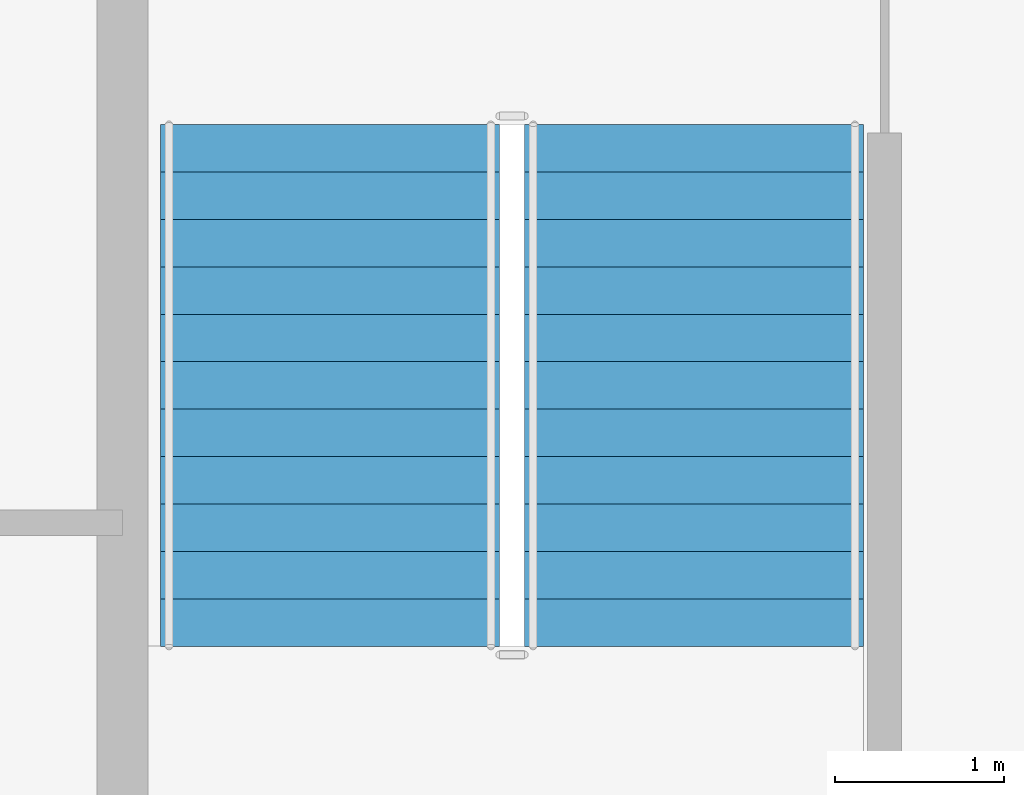
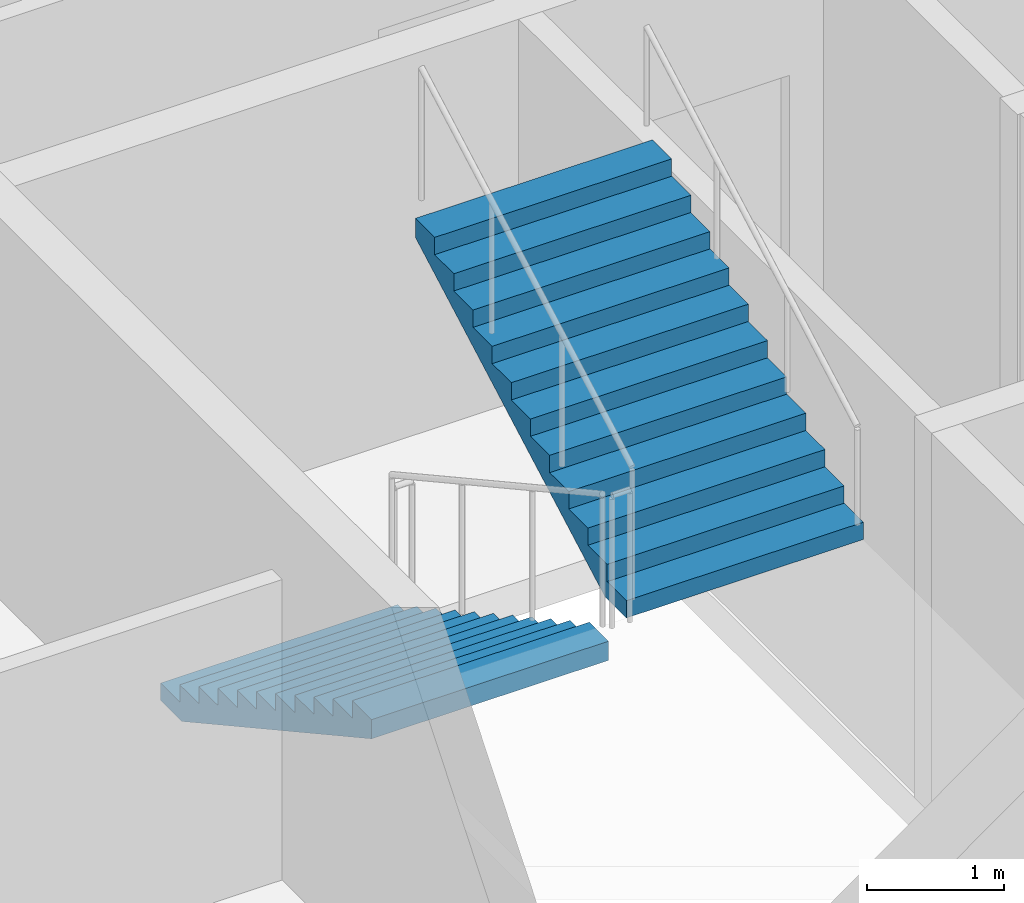
# One storey, part 8 of 16: 2 stair flights, 1 element without a shape of its own.
"""IFC4 building model written with IfcOpenShell, lengths in metres."""

from ifc_helpers import new_model, si_unit, direction, frame, origin, place, context, subcontext, project, spatial, polygons, material, type_object, element, aggregate, save


model = new_model("IFC4")

# Units and contexts
model_context = context("Model", 3, precision=1e-05, world=origin(), true_north=direction((0.0, 1.0)))
body_context = subcontext(model_context, "Body", "Model", "MODEL_VIEW")
ifc_project = project(units=[si_unit("LENGTHUNIT", "METRE"), si_unit("AREAUNIT", "SQUARE_METRE"), si_unit("VOLUMEUNIT", "CUBIC_METRE"), si_unit("PLANEANGLEUNIT", "RADIAN"), si_unit("MASSUNIT", "GRAM", prefix="KILO")], contexts=[model_context])

# Site, building, storey
site_placement = place(None, origin())
site = spatial("IfcSite", under=ifc_project, at=site_placement, CompositionType="ELEMENT")
building_placement = place(site_placement, origin())
building = spatial("IfcBuilding", under=site, at=building_placement, Name="Caravel Reach Hotel and Residences", CompositionType="ELEMENT")
storey_placement = place(building_placement, frame((0.0, 0.0, 207.199951171875)))
storey = spatial("IfcBuildingStorey", under=building, at=storey_placement, Name="L52", CompositionType="ELEMENT", Elevation=207.199951171875)

# Stair, stair flights
ifc_material_1 = material(Name="Concrete C40", Category="concrete")
stair_type = type_object("IfcStairType", Name="Core stair", PredefinedType="HALF_TURN_STAIR", material=ifc_material_1)
stair_placement = place(storey_placement, origin())
stair = element("IfcStair", 1, at=stair_placement, inside=storey, type_object=stair_type, Name="L52 Exit stair A", PredefinedType="HALF_TURN_STAIR")
ifc_material_2 = material(Name="Concrete C40", Category="concrete")
stair_flight_type = type_object("IfcStairFlightType", Name="Core stair flight", PredefinedType="STRAIGHT", material=ifc_material_2)
stair_flight_1_placement = place(storey_placement, frame((19.22509765625, 29.35009765625, 0.0), z_axis=(0.0, 0.0, 1.0), x_axis=(0.0, -1.0, 0.0)))
stair_flight_1 = element("IfcStairFlight", 2, at=stair_flight_1_placement, type_object=stair_flight_type, Name="ST-A flight 1", NumberOfRisers=12, NumberOfTreads=11, PredefinedType="STRAIGHT", RiserHeight=0.154166667, TreadLength=0.28, context=body_context, shape_type="Tessellation", body=[
    polygons([(0.3107950034306102, 1.0, 0.0), (0.3107950034306102, 0.6666666666666667, 0.0), (0.3107950034306102, 0.33333333333333337, 0.0), (0.3107950034306102, 0.0, 0.0), (0.3107950034306102, -0.33333333333333326, 0.0), (0.3107950034306102, -0.6666666666666667, 0.0), (0.3107950034306102, -1.0, 0.0), (3.081, 1.0, 1.524711087717319), (3.081, 0.6666666666666667, 1.524711087717319), (3.081, 0.33333333333333337, 1.524711087717319), (3.081, 0.0, 1.524711087717319), (3.081, -0.33333333333333326, 1.524711087717319), (3.081, -0.6666666666666667, 1.524711087717319), (3.081, -1.0, 1.524711087717319), (3.081, 1.0, 1.695833337), (3.081, 0.6666666666666667, 1.695833337), (3.081, 0.33333333333333337, 1.695833337), (3.081, 0.0, 1.695833337), (3.081, -0.33333333333333326, 1.695833337), (3.081, -0.6666666666666667, 1.695833337), (3.081, -1.0, 1.695833337), (2.8000000000000003, 1.0, 1.695833337), (2.8000000000000003, 0.6666666666666667, 1.695833337), (2.8000000000000003, 0.33333333333333337, 1.695833337), (2.8000000000000003, 0.0, 1.695833337), (2.8000000000000003, -0.33333333333333326, 1.695833337), (2.8000000000000003, -0.6666666666666667, 1.695833337), (2.8000000000000003, -1.0, 1.695833337), (2.8000000000000003, 1.0, 1.5416666700000001), (2.8000000000000003, 0.6666666666666667, 1.5416666700000001), (2.8000000000000003, 0.33333333333333337, 1.5416666700000001), (2.8000000000000003, 0.0, 1.5416666700000001), (2.8000000000000003, -0.33333333333333326, 1.5416666700000001), (2.8000000000000003, -0.6666666666666667, 1.5416666700000001), (2.8000000000000003, -1.0, 1.5416666700000001), (2.5200000000000005, 1.0, 1.5416666700000001), (2.5200000000000005, 0.6666666666666667, 1.5416666700000001), (2.5200000000000005, 0.33333333333333337, 1.5416666700000001), (2.5200000000000005, 0.0, 1.5416666700000001), (2.5200000000000005, -0.33333333333333326, 1.5416666700000001), (2.5200000000000005, -0.6666666666666667, 1.5416666700000001), (2.5200000000000005, -1.0, 1.5416666700000001), (2.5200000000000005, 1.0, 1.387500003), (2.5200000000000005, 0.6666666666666667, 1.387500003), (2.5200000000000005, 0.33333333333333337, 1.387500003), (2.5200000000000005, 0.0, 1.387500003), (2.5200000000000005, -0.33333333333333326, 1.387500003), (2.5200000000000005, -0.6666666666666667, 1.387500003), (2.5200000000000005, -1.0, 1.387500003), (2.24, 1.0, 1.387500003), (2.24, 0.6666666666666667, 1.387500003), (2.24, 0.33333333333333337, 1.387500003), (2.24, 0.0, 1.387500003), (2.24, -0.33333333333333326, 1.387500003), (2.24, -0.6666666666666667, 1.387500003), (2.24, -1.0, 1.387500003), (2.24, 1.0, 1.233333336), (2.24, 0.6666666666666667, 1.233333336), (2.24, 0.33333333333333337, 1.233333336), (2.24, 0.0, 1.233333336), (2.24, -0.33333333333333326, 1.233333336), (2.24, -0.6666666666666667, 1.233333336), (2.24, -1.0, 1.233333336), (1.9600000000000002, 1.0, 1.233333336), (1.9600000000000002, 0.6666666666666667, 1.233333336), (1.9600000000000002, 0.33333333333333337, 1.233333336), (1.9600000000000002, 0.0, 1.233333336), (1.9600000000000002, -0.33333333333333326, 1.233333336), (1.9600000000000002, -0.6666666666666667, 1.233333336), (1.9600000000000002, -1.0, 1.233333336), (1.9600000000000002, 1.0, 1.0791666690000001), (1.9600000000000002, 0.6666666666666667, 1.0791666690000001), (1.9600000000000002, 0.33333333333333337, 1.0791666690000001), (1.9600000000000002, 0.0, 1.0791666690000001), (1.9600000000000002, -0.33333333333333326, 1.0791666690000001), (1.9600000000000002, -0.6666666666666667, 1.0791666690000001), (1.9600000000000002, -1.0, 1.0791666690000001), (1.6800000000000002, 1.0, 1.0791666690000001), (1.6800000000000002, 0.6666666666666667, 1.0791666690000001), (1.6800000000000002, 0.33333333333333337, 1.0791666690000001), (1.6800000000000002, 0.0, 1.0791666690000001), (1.6800000000000002, -0.33333333333333326, 1.0791666690000001), (1.6800000000000002, -0.6666666666666667, 1.0791666690000001), (1.6800000000000002, -1.0, 1.0791666690000001), (1.6800000000000002, 1.0, 0.925000002), (1.6800000000000002, 0.6666666666666667, 0.925000002), (1.6800000000000002, 0.33333333333333337, 0.925000002), (1.6800000000000002, 0.0, 0.925000002), (1.6800000000000002, -0.33333333333333326, 0.925000002), (1.6800000000000002, -0.6666666666666667, 0.925000002), (1.6800000000000002, -1.0, 0.925000002), (1.4000000000000001, 1.0, 0.925000002), (1.4000000000000001, 0.6666666666666667, 0.925000002), (1.4000000000000001, 0.33333333333333337, 0.925000002), (1.4000000000000001, 0.0, 0.925000002), (1.4000000000000001, -0.33333333333333326, 0.925000002), (1.4000000000000001, -0.6666666666666667, 0.925000002), (1.4000000000000001, -1.0, 0.925000002), (1.4000000000000001, 1.0, 0.7708333350000001), (1.4000000000000001, 0.6666666666666667, 0.7708333350000001), (1.4000000000000001, 0.33333333333333337, 0.7708333350000001), (1.4000000000000001, 0.0, 0.7708333350000001), (1.4000000000000001, -0.33333333333333326, 0.7708333350000001), (1.4000000000000001, -0.6666666666666667, 0.7708333350000001), (1.4000000000000001, -1.0, 0.7708333350000001), (1.12, 1.0, 0.7708333350000001), (1.12, 0.6666666666666667, 0.7708333350000001), (1.12, 0.33333333333333337, 0.7708333350000001), (1.12, 0.0, 0.7708333350000001), (1.12, -0.33333333333333326, 0.7708333350000001), (1.12, -0.6666666666666667, 0.7708333350000001), (1.12, -1.0, 0.7708333350000001), (1.12, 1.0, 0.616666668), (1.12, 0.6666666666666667, 0.616666668), (1.12, 0.33333333333333337, 0.616666668), (1.12, 0.0, 0.616666668), (1.12, -0.33333333333333326, 0.616666668), (1.12, -0.6666666666666667, 0.616666668), (1.12, -1.0, 0.616666668), (0.8400000000000001, 1.0, 0.616666668), (0.8400000000000001, 0.6666666666666667, 0.616666668), (0.8400000000000001, 0.33333333333333337, 0.616666668), (0.8400000000000001, 0.0, 0.616666668), (0.8400000000000001, -0.33333333333333326, 0.616666668), (0.8400000000000001, -0.6666666666666667, 0.616666668), (0.8400000000000001, -1.0, 0.616666668), (0.8400000000000001, 1.0, 0.462500001), (0.8400000000000001, 0.6666666666666667, 0.462500001), (0.8400000000000001, 0.33333333333333337, 0.462500001), (0.8400000000000001, 0.0, 0.462500001), (0.8400000000000001, -0.33333333333333326, 0.462500001), (0.8400000000000001, -0.6666666666666667, 0.462500001), (0.8400000000000001, -1.0, 0.462500001), (0.56, 1.0, 0.462500001), (0.56, 0.6666666666666667, 0.462500001), (0.56, 0.33333333333333337, 0.462500001), (0.56, 0.0, 0.462500001), (0.56, -0.33333333333333326, 0.462500001), (0.56, -0.6666666666666667, 0.462500001), (0.56, -1.0, 0.462500001), (0.56, 1.0, 0.308333334), (0.56, 0.6666666666666667, 0.308333334), (0.56, 0.33333333333333337, 0.308333334), (0.56, 0.0, 0.308333334), (0.56, -0.33333333333333326, 0.308333334), (0.56, -0.6666666666666667, 0.308333334), (0.56, -1.0, 0.308333334), (0.28, 1.0, 0.308333334), (0.28, 0.6666666666666667, 0.308333334), (0.28, 0.33333333333333337, 0.308333334), (0.28, 0.0, 0.308333334), (0.28, -0.33333333333333326, 0.308333334), (0.28, -0.6666666666666667, 0.308333334), (0.28, -1.0, 0.308333334), (0.28, 1.0, 0.154166667), (0.28, 0.6666666666666667, 0.154166667), (0.28, 0.33333333333333337, 0.154166667), (0.28, 0.0, 0.154166667), (0.28, -0.33333333333333326, 0.154166667), (0.28, -0.6666666666666667, 0.154166667), (0.28, -1.0, 0.154166667), (-0.001, 1.0, 0.154166667), (-0.001, 0.6666666666666667, 0.154166667), (-0.001, 0.33333333333333337, 0.154166667), (-0.001, 0.0, 0.154166667), (-0.001, -0.33333333333333326, 0.154166667), (-0.001, -0.6666666666666667, 0.154166667), (-0.001, -1.0, 0.154166667), (-0.001, 1.0, 0.0), (-0.001, 0.6666666666666667, 0.0), (-0.001, 0.33333333333333337, 0.0), (-0.001, 0.0, 0.0), (-0.001, -0.33333333333333326, 0.0), (-0.001, -0.6666666666666667, 0.0), (-0.001, -1.0, 0.0)], [[[169, 162, 155, 148, 141, 134, 127, 120, 113, 106, 99, 92, 85, 78, 71, 64, 57, 50, 43, 36, 29, 22, 15, 8, 1]], [[7, 14, 21, 28, 35, 42, 49, 56, 63, 70, 77, 84, 91, 98, 105, 112, 119, 126, 133, 140, 147, 154, 161, 168, 175]], [[1, 8, 9, 2]], [[2, 9, 10, 3]], [[3, 10, 11, 4]], [[4, 11, 12, 5]], [[5, 12, 13, 6]], [[6, 13, 14, 7]], [[8, 15, 16, 9]], [[9, 16, 17, 10]], [[10, 17, 18, 11]], [[11, 18, 19, 12]], [[12, 19, 20, 13]], [[13, 20, 21, 14]], [[15, 22, 23, 16]], [[16, 23, 24, 17]], [[17, 24, 25, 18]], [[18, 25, 26, 19]], [[19, 26, 27, 20]], [[20, 27, 28, 21]], [[22, 29, 30, 23]], [[23, 30, 31, 24]], [[24, 31, 32, 25]], [[25, 32, 33, 26]], [[26, 33, 34, 27]], [[27, 34, 35, 28]], [[29, 36, 37, 30]], [[30, 37, 38, 31]], [[31, 38, 39, 32]], [[32, 39, 40, 33]], [[33, 40, 41, 34]], [[34, 41, 42, 35]], [[36, 43, 44, 37]], [[37, 44, 45, 38]], [[38, 45, 46, 39]], [[39, 46, 47, 40]], [[40, 47, 48, 41]], [[41, 48, 49, 42]], [[43, 50, 51, 44]], [[44, 51, 52, 45]], [[45, 52, 53, 46]], [[46, 53, 54, 47]], [[47, 54, 55, 48]], [[48, 55, 56, 49]], [[50, 57, 58, 51]], [[51, 58, 59, 52]], [[52, 59, 60, 53]], [[53, 60, 61, 54]], [[54, 61, 62, 55]], [[55, 62, 63, 56]], [[57, 64, 65, 58]], [[58, 65, 66, 59]], [[59, 66, 67, 60]], [[60, 67, 68, 61]], [[61, 68, 69, 62]], [[62, 69, 70, 63]], [[64, 71, 72, 65]], [[65, 72, 73, 66]], [[66, 73, 74, 67]], [[67, 74, 75, 68]], [[68, 75, 76, 69]], [[69, 76, 77, 70]], [[71, 78, 79, 72]], [[72, 79, 80, 73]], [[73, 80, 81, 74]], [[74, 81, 82, 75]], [[75, 82, 83, 76]], [[76, 83, 84, 77]], [[78, 85, 86, 79]], [[79, 86, 87, 80]], [[80, 87, 88, 81]], [[81, 88, 89, 82]], [[82, 89, 90, 83]], [[83, 90, 91, 84]], [[85, 92, 93, 86]], [[86, 93, 94, 87]], [[87, 94, 95, 88]], [[88, 95, 96, 89]], [[89, 96, 97, 90]], [[90, 97, 98, 91]], [[92, 99, 100, 93]], [[93, 100, 101, 94]], [[94, 101, 102, 95]], [[95, 102, 103, 96]], [[96, 103, 104, 97]], [[97, 104, 105, 98]], [[99, 106, 107, 100]], [[100, 107, 108, 101]], [[101, 108, 109, 102]], [[102, 109, 110, 103]], [[103, 110, 111, 104]], [[104, 111, 112, 105]], [[106, 113, 114, 107]], [[107, 114, 115, 108]], [[108, 115, 116, 109]], [[109, 116, 117, 110]], [[110, 117, 118, 111]], [[111, 118, 119, 112]], [[113, 120, 121, 114]], [[114, 121, 122, 115]], [[115, 122, 123, 116]], [[116, 123, 124, 117]], [[117, 124, 125, 118]], [[118, 125, 126, 119]], [[120, 127, 128, 121]], [[121, 128, 129, 122]], [[122, 129, 130, 123]], [[123, 130, 131, 124]], [[124, 131, 132, 125]], [[125, 132, 133, 126]], [[127, 134, 135, 128]], [[128, 135, 136, 129]], [[129, 136, 137, 130]], [[130, 137, 138, 131]], [[131, 138, 139, 132]], [[132, 139, 140, 133]], [[134, 141, 142, 135]], [[135, 142, 143, 136]], [[136, 143, 144, 137]], [[137, 144, 145, 138]], [[138, 145, 146, 139]], [[139, 146, 147, 140]], [[141, 148, 149, 142]], [[142, 149, 150, 143]], [[143, 150, 151, 144]], [[144, 151, 152, 145]], [[145, 152, 153, 146]], [[146, 153, 154, 147]], [[148, 155, 156, 149]], [[149, 156, 157, 150]], [[150, 157, 158, 151]], [[151, 158, 159, 152]], [[152, 159, 160, 153]], [[153, 160, 161, 154]], [[155, 162, 163, 156]], [[156, 163, 164, 157]], [[157, 164, 165, 158]], [[158, 165, 166, 159]], [[159, 166, 167, 160]], [[160, 167, 168, 161]], [[162, 169, 170, 163]], [[163, 170, 171, 164]], [[164, 171, 172, 165]], [[165, 172, 173, 166]], [[166, 173, 174, 167]], [[167, 174, 175, 168]], [[169, 1, 2, 170]], [[170, 2, 3, 171]], [[171, 3, 4, 172]], [[172, 4, 5, 173]], [[173, 5, 6, 174]], [[174, 6, 7, 175]]], closed=True),
])
stair_flight_2_placement = place(storey_placement, frame((21.375, 26.27001953125, 1.85009765625), z_axis=(0.0, 0.0, 1.0), x_axis=(0.0, 1.0, 0.0)))
stair_flight_2 = element("IfcStairFlight", 3, at=stair_flight_2_placement, type_object=stair_flight_type, Name="ST-A flight 2", NumberOfRisers=12, NumberOfTreads=11, PredefinedType="STRAIGHT", RiserHeight=0.154166667, TreadLength=0.28, context=body_context, shape_type="Tessellation", body=[
    polygons([(0.3107950034306102, 1.0, 0.0), (0.3107950034306102, 0.6666666666666667, 0.0), (0.3107950034306102, 0.33333333333333337, 0.0), (0.3107950034306102, 0.0, 0.0), (0.3107950034306102, -0.33333333333333326, 0.0), (0.3107950034306102, -0.6666666666666667, 0.0), (0.3107950034306102, -1.0, 0.0), (3.081, 1.0, 1.524711087717319), (3.081, 0.6666666666666667, 1.524711087717319), (3.081, 0.33333333333333337, 1.524711087717319), (3.081, 0.0, 1.524711087717319), (3.081, -0.33333333333333326, 1.524711087717319), (3.081, -0.6666666666666667, 1.524711087717319), (3.081, -1.0, 1.524711087717319), (3.081, 1.0, 1.695833337), (3.081, 0.6666666666666667, 1.695833337), (3.081, 0.33333333333333337, 1.695833337), (3.081, 0.0, 1.695833337), (3.081, -0.33333333333333326, 1.695833337), (3.081, -0.6666666666666667, 1.695833337), (3.081, -1.0, 1.695833337), (2.8000000000000003, 1.0, 1.695833337), (2.8000000000000003, 0.6666666666666667, 1.695833337), (2.8000000000000003, 0.33333333333333337, 1.695833337), (2.8000000000000003, 0.0, 1.695833337), (2.8000000000000003, -0.33333333333333326, 1.695833337), (2.8000000000000003, -0.6666666666666667, 1.695833337), (2.8000000000000003, -1.0, 1.695833337), (2.8000000000000003, 1.0, 1.5416666700000001), (2.8000000000000003, 0.6666666666666667, 1.5416666700000001), (2.8000000000000003, 0.33333333333333337, 1.5416666700000001), (2.8000000000000003, 0.0, 1.5416666700000001), (2.8000000000000003, -0.33333333333333326, 1.5416666700000001), (2.8000000000000003, -0.6666666666666667, 1.5416666700000001), (2.8000000000000003, -1.0, 1.5416666700000001), (2.5200000000000005, 1.0, 1.5416666700000001), (2.5200000000000005, 0.6666666666666667, 1.5416666700000001), (2.5200000000000005, 0.33333333333333337, 1.5416666700000001), (2.5200000000000005, 0.0, 1.5416666700000001), (2.5200000000000005, -0.33333333333333326, 1.5416666700000001), (2.5200000000000005, -0.6666666666666667, 1.5416666700000001), (2.5200000000000005, -1.0, 1.5416666700000001), (2.5200000000000005, 1.0, 1.387500003), (2.5200000000000005, 0.6666666666666667, 1.387500003), (2.5200000000000005, 0.33333333333333337, 1.387500003), (2.5200000000000005, 0.0, 1.387500003), (2.5200000000000005, -0.33333333333333326, 1.387500003), (2.5200000000000005, -0.6666666666666667, 1.387500003), (2.5200000000000005, -1.0, 1.387500003), (2.24, 1.0, 1.387500003), (2.24, 0.6666666666666667, 1.387500003), (2.24, 0.33333333333333337, 1.387500003), (2.24, 0.0, 1.387500003), (2.24, -0.33333333333333326, 1.387500003), (2.24, -0.6666666666666667, 1.387500003), (2.24, -1.0, 1.387500003), (2.24, 1.0, 1.233333336), (2.24, 0.6666666666666667, 1.233333336), (2.24, 0.33333333333333337, 1.233333336), (2.24, 0.0, 1.233333336), (2.24, -0.33333333333333326, 1.233333336), (2.24, -0.6666666666666667, 1.233333336), (2.24, -1.0, 1.233333336), (1.9600000000000002, 1.0, 1.233333336), (1.9600000000000002, 0.6666666666666667, 1.233333336), (1.9600000000000002, 0.33333333333333337, 1.233333336), (1.9600000000000002, 0.0, 1.233333336), (1.9600000000000002, -0.33333333333333326, 1.233333336), (1.9600000000000002, -0.6666666666666667, 1.233333336), (1.9600000000000002, -1.0, 1.233333336), (1.9600000000000002, 1.0, 1.0791666690000001), (1.9600000000000002, 0.6666666666666667, 1.0791666690000001), (1.9600000000000002, 0.33333333333333337, 1.0791666690000001), (1.9600000000000002, 0.0, 1.0791666690000001), (1.9600000000000002, -0.33333333333333326, 1.0791666690000001), (1.9600000000000002, -0.6666666666666667, 1.0791666690000001), (1.9600000000000002, -1.0, 1.0791666690000001), (1.6800000000000002, 1.0, 1.0791666690000001), (1.6800000000000002, 0.6666666666666667, 1.0791666690000001), (1.6800000000000002, 0.33333333333333337, 1.0791666690000001), (1.6800000000000002, 0.0, 1.0791666690000001), (1.6800000000000002, -0.33333333333333326, 1.0791666690000001), (1.6800000000000002, -0.6666666666666667, 1.0791666690000001), (1.6800000000000002, -1.0, 1.0791666690000001), (1.6800000000000002, 1.0, 0.925000002), (1.6800000000000002, 0.6666666666666667, 0.925000002), (1.6800000000000002, 0.33333333333333337, 0.925000002), (1.6800000000000002, 0.0, 0.925000002), (1.6800000000000002, -0.33333333333333326, 0.925000002), (1.6800000000000002, -0.6666666666666667, 0.925000002), (1.6800000000000002, -1.0, 0.925000002), (1.4000000000000001, 1.0, 0.925000002), (1.4000000000000001, 0.6666666666666667, 0.925000002), (1.4000000000000001, 0.33333333333333337, 0.925000002), (1.4000000000000001, 0.0, 0.925000002), (1.4000000000000001, -0.33333333333333326, 0.925000002), (1.4000000000000001, -0.6666666666666667, 0.925000002), (1.4000000000000001, -1.0, 0.925000002), (1.4000000000000001, 1.0, 0.7708333350000001), (1.4000000000000001, 0.6666666666666667, 0.7708333350000001), (1.4000000000000001, 0.33333333333333337, 0.7708333350000001), (1.4000000000000001, 0.0, 0.7708333350000001), (1.4000000000000001, -0.33333333333333326, 0.7708333350000001), (1.4000000000000001, -0.6666666666666667, 0.7708333350000001), (1.4000000000000001, -1.0, 0.7708333350000001), (1.12, 1.0, 0.7708333350000001), (1.12, 0.6666666666666667, 0.7708333350000001), (1.12, 0.33333333333333337, 0.7708333350000001), (1.12, 0.0, 0.7708333350000001), (1.12, -0.33333333333333326, 0.7708333350000001), (1.12, -0.6666666666666667, 0.7708333350000001), (1.12, -1.0, 0.7708333350000001), (1.12, 1.0, 0.616666668), (1.12, 0.6666666666666667, 0.616666668), (1.12, 0.33333333333333337, 0.616666668), (1.12, 0.0, 0.616666668), (1.12, -0.33333333333333326, 0.616666668), (1.12, -0.6666666666666667, 0.616666668), (1.12, -1.0, 0.616666668), (0.8400000000000001, 1.0, 0.616666668), (0.8400000000000001, 0.6666666666666667, 0.616666668), (0.8400000000000001, 0.33333333333333337, 0.616666668), (0.8400000000000001, 0.0, 0.616666668), (0.8400000000000001, -0.33333333333333326, 0.616666668), (0.8400000000000001, -0.6666666666666667, 0.616666668), (0.8400000000000001, -1.0, 0.616666668), (0.8400000000000001, 1.0, 0.462500001), (0.8400000000000001, 0.6666666666666667, 0.462500001), (0.8400000000000001, 0.33333333333333337, 0.462500001), (0.8400000000000001, 0.0, 0.462500001), (0.8400000000000001, -0.33333333333333326, 0.462500001), (0.8400000000000001, -0.6666666666666667, 0.462500001), (0.8400000000000001, -1.0, 0.462500001), (0.56, 1.0, 0.462500001), (0.56, 0.6666666666666667, 0.462500001), (0.56, 0.33333333333333337, 0.462500001), (0.56, 0.0, 0.462500001), (0.56, -0.33333333333333326, 0.462500001), (0.56, -0.6666666666666667, 0.462500001), (0.56, -1.0, 0.462500001), (0.56, 1.0, 0.308333334), (0.56, 0.6666666666666667, 0.308333334), (0.56, 0.33333333333333337, 0.308333334), (0.56, 0.0, 0.308333334), (0.56, -0.33333333333333326, 0.308333334), (0.56, -0.6666666666666667, 0.308333334), (0.56, -1.0, 0.308333334), (0.28, 1.0, 0.308333334), (0.28, 0.6666666666666667, 0.308333334), (0.28, 0.33333333333333337, 0.308333334), (0.28, 0.0, 0.308333334), (0.28, -0.33333333333333326, 0.308333334), (0.28, -0.6666666666666667, 0.308333334), (0.28, -1.0, 0.308333334), (0.28, 1.0, 0.154166667), (0.28, 0.6666666666666667, 0.154166667), (0.28, 0.33333333333333337, 0.154166667), (0.28, 0.0, 0.154166667), (0.28, -0.33333333333333326, 0.154166667), (0.28, -0.6666666666666667, 0.154166667), (0.28, -1.0, 0.154166667), (-0.001, 1.0, 0.154166667), (-0.001, 0.6666666666666667, 0.154166667), (-0.001, 0.33333333333333337, 0.154166667), (-0.001, 0.0, 0.154166667), (-0.001, -0.33333333333333326, 0.154166667), (-0.001, -0.6666666666666667, 0.154166667), (-0.001, -1.0, 0.154166667), (-0.001, 1.0, 0.0), (-0.001, 0.6666666666666667, 0.0), (-0.001, 0.33333333333333337, 0.0), (-0.001, 0.0, 0.0), (-0.001, -0.33333333333333326, 0.0), (-0.001, -0.6666666666666667, 0.0), (-0.001, -1.0, 0.0)], [[[169, 162, 155, 148, 141, 134, 127, 120, 113, 106, 99, 92, 85, 78, 71, 64, 57, 50, 43, 36, 29, 22, 15, 8, 1]], [[7, 14, 21, 28, 35, 42, 49, 56, 63, 70, 77, 84, 91, 98, 105, 112, 119, 126, 133, 140, 147, 154, 161, 168, 175]], [[1, 8, 9, 2]], [[2, 9, 10, 3]], [[3, 10, 11, 4]], [[4, 11, 12, 5]], [[5, 12, 13, 6]], [[6, 13, 14, 7]], [[8, 15, 16, 9]], [[9, 16, 17, 10]], [[10, 17, 18, 11]], [[11, 18, 19, 12]], [[12, 19, 20, 13]], [[13, 20, 21, 14]], [[15, 22, 23, 16]], [[16, 23, 24, 17]], [[17, 24, 25, 18]], [[18, 25, 26, 19]], [[19, 26, 27, 20]], [[20, 27, 28, 21]], [[22, 29, 30, 23]], [[23, 30, 31, 24]], [[24, 31, 32, 25]], [[25, 32, 33, 26]], [[26, 33, 34, 27]], [[27, 34, 35, 28]], [[29, 36, 37, 30]], [[30, 37, 38, 31]], [[31, 38, 39, 32]], [[32, 39, 40, 33]], [[33, 40, 41, 34]], [[34, 41, 42, 35]], [[36, 43, 44, 37]], [[37, 44, 45, 38]], [[38, 45, 46, 39]], [[39, 46, 47, 40]], [[40, 47, 48, 41]], [[41, 48, 49, 42]], [[43, 50, 51, 44]], [[44, 51, 52, 45]], [[45, 52, 53, 46]], [[46, 53, 54, 47]], [[47, 54, 55, 48]], [[48, 55, 56, 49]], [[50, 57, 58, 51]], [[51, 58, 59, 52]], [[52, 59, 60, 53]], [[53, 60, 61, 54]], [[54, 61, 62, 55]], [[55, 62, 63, 56]], [[57, 64, 65, 58]], [[58, 65, 66, 59]], [[59, 66, 67, 60]], [[60, 67, 68, 61]], [[61, 68, 69, 62]], [[62, 69, 70, 63]], [[64, 71, 72, 65]], [[65, 72, 73, 66]], [[66, 73, 74, 67]], [[67, 74, 75, 68]], [[68, 75, 76, 69]], [[69, 76, 77, 70]], [[71, 78, 79, 72]], [[72, 79, 80, 73]], [[73, 80, 81, 74]], [[74, 81, 82, 75]], [[75, 82, 83, 76]], [[76, 83, 84, 77]], [[78, 85, 86, 79]], [[79, 86, 87, 80]], [[80, 87, 88, 81]], [[81, 88, 89, 82]], [[82, 89, 90, 83]], [[83, 90, 91, 84]], [[85, 92, 93, 86]], [[86, 93, 94, 87]], [[87, 94, 95, 88]], [[88, 95, 96, 89]], [[89, 96, 97, 90]], [[90, 97, 98, 91]], [[92, 99, 100, 93]], [[93, 100, 101, 94]], [[94, 101, 102, 95]], [[95, 102, 103, 96]], [[96, 103, 104, 97]], [[97, 104, 105, 98]], [[99, 106, 107, 100]], [[100, 107, 108, 101]], [[101, 108, 109, 102]], [[102, 109, 110, 103]], [[103, 110, 111, 104]], [[104, 111, 112, 105]], [[106, 113, 114, 107]], [[107, 114, 115, 108]], [[108, 115, 116, 109]], [[109, 116, 117, 110]], [[110, 117, 118, 111]], [[111, 118, 119, 112]], [[113, 120, 121, 114]], [[114, 121, 122, 115]], [[115, 122, 123, 116]], [[116, 123, 124, 117]], [[117, 124, 125, 118]], [[118, 125, 126, 119]], [[120, 127, 128, 121]], [[121, 128, 129, 122]], [[122, 129, 130, 123]], [[123, 130, 131, 124]], [[124, 131, 132, 125]], [[125, 132, 133, 126]], [[127, 134, 135, 128]], [[128, 135, 136, 129]], [[129, 136, 137, 130]], [[130, 137, 138, 131]], [[131, 138, 139, 132]], [[132, 139, 140, 133]], [[134, 141, 142, 135]], [[135, 142, 143, 136]], [[136, 143, 144, 137]], [[137, 144, 145, 138]], [[138, 145, 146, 139]], [[139, 146, 147, 140]], [[141, 148, 149, 142]], [[142, 149, 150, 143]], [[143, 150, 151, 144]], [[144, 151, 152, 145]], [[145, 152, 153, 146]], [[146, 153, 154, 147]], [[148, 155, 156, 149]], [[149, 156, 157, 150]], [[150, 157, 158, 151]], [[151, 158, 159, 152]], [[152, 159, 160, 153]], [[153, 160, 161, 154]], [[155, 162, 163, 156]], [[156, 163, 164, 157]], [[157, 164, 165, 158]], [[158, 165, 166, 159]], [[159, 166, 167, 160]], [[160, 167, 168, 161]], [[162, 169, 170, 163]], [[163, 170, 171, 164]], [[164, 171, 172, 165]], [[165, 172, 173, 166]], [[166, 173, 174, 167]], [[167, 174, 175, 168]], [[169, 1, 2, 170]], [[170, 2, 3, 171]], [[171, 3, 4, 172]], [[172, 4, 5, 173]], [[173, 5, 6, 174]], [[174, 6, 7, 175]]], closed=True),
])
aggregate(stair, [stair_flight_1, stair_flight_2])

save(model, "model.ifc")
